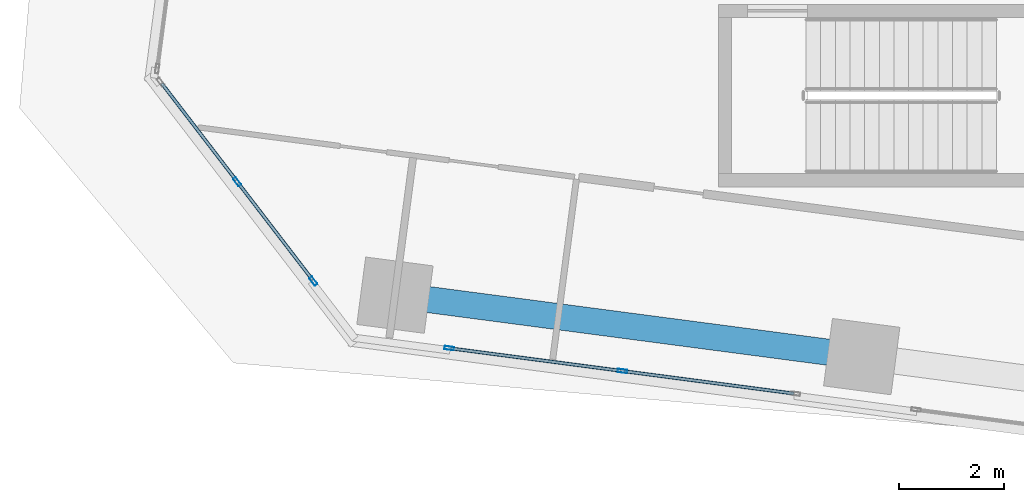
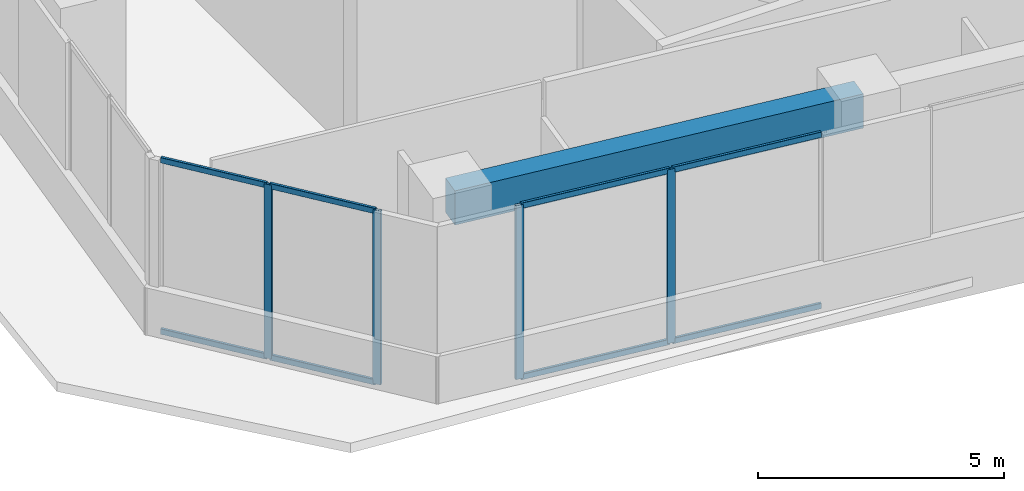
# One storey, part 2 of 24: 12 members, 1 beam, 2 elements without a shape of their own.
"""IFC4 building model written with IfcOpenShell, lengths in metres."""

from ifc_helpers import new_model, si_unit, direction, frame, origin, origin_2d, place, context, subcontext, project, spatial, rectangle, hollow_rectangle, extrude, source, transform, mapped, material, material_profile, profile_set, type_object, element, aggregate, save


model = new_model("IFC4")

# Units and contexts
model_context = context("Model", 3, precision=1e-05, world=origin(), true_north=direction((0.0, 1.0)))
body_context = subcontext(model_context, "Body", "Model", "MODEL_VIEW")
ifc_project = project(units=[si_unit("LENGTHUNIT", "METRE"), si_unit("AREAUNIT", "SQUARE_METRE"), si_unit("VOLUMEUNIT", "CUBIC_METRE"), si_unit("PLANEANGLEUNIT", "RADIAN"), si_unit("MASSUNIT", "GRAM", prefix="KILO")], contexts=[model_context])

# Site, building, storey
site_placement = place(None, origin())
site = spatial("IfcSite", under=ifc_project, at=site_placement, CompositionType="ELEMENT")
building_placement = place(site_placement, origin())
building = spatial("IfcBuilding", under=site, at=building_placement, Name="Torre Montelarca", CompositionType="ELEMENT")
storey_placement = place(building_placement, frame((0.0, 0.0, 61.60009765625)))
storey = spatial("IfcBuildingStorey", under=building, at=storey_placement, Name="L13", CompositionType="ELEMENT", Elevation=61.60009765625)

# Beam
ifc_material_1 = material(Name="Concrete C55/67", Category="concrete")
ifc_material_profile_1 = material_profile(ifc_material_1, rectangle(XDim=0.5, YDim=0.85009765625, at=origin_2d()), Name="RCB500X850", Category="concrete")
ifc_profile_set_1 = profile_set([ifc_material_profile_1], Name="Concrete C55/67")
beam_type = type_object("IfcBeamType", Name="BM-SP-RC850-EXT", PredefinedType="SPANDREL", material=ifc_profile_set_1)
shared_shape_1 = source(origin(), body_context, "Body", "SweptSolid", [
    extrude(rectangle(XDim=0.5, YDim=0.85009765625, at=origin_2d()), origin(), (0.0, 0.0, 1.0), 9.0),
])
beam_placement = place(storey_placement, frame((6.86181640625, 16.57861328125, 4.135009765625), z_axis=(0.991447554135, -0.130505737036, 0.0), x_axis=(0.130505737036, 0.991447554135, 0.0)))
element("IfcBeam", 1, at=beam_placement, inside=storey, type_object=beam_type, Name="L13 Grid Girder X 9.0-18.0 at Y=14.8", PredefinedType="SPANDREL", context=body_context, shape_type="MappedRepresentation", body=[
    mapped(shared_shape_1, transform((0.0, 0.0, 0.0), scale=1.0)),
])

# Curtain wall, members
ifc_material_2 = material(Name="Insulated low-E laminated glass", Category="glass")
curtain_wall_type = type_object("IfcCurtainWallType", Name="CW-SYS-Z1", PredefinedType="USERDEFINED", material=ifc_material_2)
curtain_wall_1_placement = place(storey_placement, origin())
curtain_wall_1 = element("IfcCurtainWall", 2, at=curtain_wall_1_placement, inside=storey, type_object=curtain_wall_type, Name="L13 Curtain Wall Run CW-T3-L13-E01-B1", ObjectType="UNITISED GLAZING", PredefinedType="USERDEFINED")
ifc_material_3 = material(Name="Anodised aluminium AA 6063-T6", Category="aluminium")
ifc_material_profile_2 = material_profile(ifc_material_3, hollow_rectangle(XDim=0.06494140625, YDim=0.139892578125, WallThickness=0.00390625, InnerFilletRadius=0.00390625, OuterFilletRadius=0.008056640625, at=origin_2d()), Name="ALU65X140X4", Category="aluminium")
ifc_profile_set_2 = profile_set([ifc_material_profile_2], Name="Anodised aluminium AA 6063-T6")
member_type_1 = type_object("IfcMemberType", Name="CWT-ALU140", PredefinedType="USERDEFINED", material=ifc_profile_set_2)
shared_shape_2 = source(origin(), body_context, "Body", "SweptSolid", [
    extrude(hollow_rectangle(XDim=0.06494140625, YDim=0.139892578125, WallThickness=0.00390625, InnerFilletRadius=0.00390625, OuterFilletRadius=0.008056640625, at=origin_2d()), origin(), (0.0, 0.0, 1.0), 3.272705078125),
])
member_1_placement = place(storey_placement, frame((7.93310546875, 15.56005859375, 0.032470703125), z_axis=(0.991451248248, -0.130477669916, 0.0), x_axis=(0.130477669916, 0.991451248248, 0.0)))
member_1 = element("IfcMember", 3, at=member_1_placement, type_object=member_type_1, Name="CW transom 1.1", ObjectType="TRANSOM", PredefinedType="USERDEFINED", context=body_context, shape_type="MappedRepresentation", body=[
    mapped(shared_shape_2, transform((0.0, 0.0, 0.0), scale=1.0)),
])
member_2_placement = place(storey_placement, frame((7.93310546875, 15.56005859375, 4.287353515625), z_axis=(0.991451248248, -0.130477669916, 0.0), x_axis=(0.130477669916, 0.991451248248, 0.0)))
member_2 = element("IfcMember", 4, at=member_2_placement, type_object=member_type_1, Name="CW transom 1.2", ObjectType="TRANSOM", PredefinedType="USERDEFINED", context=body_context, shape_type="MappedRepresentation", body=[
    mapped(shared_shape_2, transform((0.0, 0.0, 0.0), scale=1.0)),
])
shared_shape_3 = source(origin(), body_context, "Body", "SweptSolid", [
    extrude(hollow_rectangle(XDim=0.06494140625, YDim=0.139892578125, WallThickness=0.00390625, InnerFilletRadius=0.00390625, OuterFilletRadius=0.008056640625, at=origin_2d()), origin(), (0.0, 0.0, 1.0), 3.2724609375),
])
member_3_placement = place(storey_placement, frame((11.2421875, 15.12451171875, 0.032470703125), z_axis=(0.991440323438, -0.130560656635, 0.0), x_axis=(0.130560656635, 0.991440323438, 0.0)))
member_3 = element("IfcMember", 5, at=member_3_placement, type_object=member_type_1, Name="CW transom 2.1", ObjectType="TRANSOM", PredefinedType="USERDEFINED", context=body_context, shape_type="MappedRepresentation", body=[
    mapped(shared_shape_3, transform((0.0, 0.0, 0.0), scale=1.0)),
])
member_4_placement = place(storey_placement, frame((11.2421875, 15.12451171875, 4.287353515625), z_axis=(0.991440323438, -0.130560656635, 0.0), x_axis=(0.130560656635, 0.991440323438, 0.0)))
member_4 = element("IfcMember", 6, at=member_4_placement, type_object=member_type_1, Name="CW transom 2.2", ObjectType="TRANSOM", PredefinedType="USERDEFINED", context=body_context, shape_type="MappedRepresentation", body=[
    mapped(shared_shape_3, transform((0.0, 0.0, 0.0), scale=1.0)),
])

curtain_wall_2_placement = place(storey_placement, origin())
curtain_wall_2 = element("IfcCurtainWall", 7, at=curtain_wall_2_placement, inside=storey, type_object=curtain_wall_type, Name="L13 Curtain Wall Run CW-T3-L13-E11-B1", ObjectType="UNITISED GLAZING", PredefinedType="USERDEFINED")
shared_shape_4 = source(origin(), body_context, "Body", "SweptSolid", [
    extrude(hollow_rectangle(XDim=0.06494140625, YDim=0.139892578125, WallThickness=0.00390625, InnerFilletRadius=0.00390625, OuterFilletRadius=0.008056640625, at=origin_2d()), origin(), (0.0, 0.0, 1.0), 2.33056640625),
])
member_5_placement = place(storey_placement, frame((2.406982421875, 20.62353515625, 0.032470703125), z_axis=(0.608763586477, -0.793351684803, 0.0), x_axis=(0.793351684803, 0.608763586477, 0.0)))
member_5 = element("IfcMember", 8, at=member_5_placement, type_object=member_type_1, Name="CW transom 1.1", ObjectType="TRANSOM", PredefinedType="USERDEFINED", context=body_context, shape_type="MappedRepresentation", body=[
    mapped(shared_shape_4, transform((0.0, 0.0, 0.0), scale=1.0)),
])
member_6_placement = place(storey_placement, frame((2.406982421875, 20.62353515625, 4.287353515625), z_axis=(0.608763586477, -0.793351684803, 0.0), x_axis=(0.793351684803, 0.608763586477, 0.0)))
member_6 = element("IfcMember", 9, at=member_6_placement, type_object=member_type_1, Name="CW transom 1.2", ObjectType="TRANSOM", PredefinedType="USERDEFINED", context=body_context, shape_type="MappedRepresentation", body=[
    mapped(shared_shape_4, transform((0.0, 0.0, 0.0), scale=1.0)),
])
member_7_placement = place(storey_placement, frame((3.865234375, 18.72314453125, 0.032470703125), z_axis=(0.608763586477, -0.793351684803, 0.0), x_axis=(0.793351684803, 0.608763586477, 0.0)))
member_7 = element("IfcMember", 10, at=member_7_placement, type_object=member_type_1, Name="CW transom 2.1", ObjectType="TRANSOM", PredefinedType="USERDEFINED", context=body_context, shape_type="MappedRepresentation", body=[
    mapped(shared_shape_4, transform((0.0, 0.0, 0.0), scale=1.0)),
])
member_8_placement = place(storey_placement, frame((3.865234375, 18.72314453125, 4.287353515625), z_axis=(0.608763586477, -0.793351684803, 0.0), x_axis=(0.793351684803, 0.608763586477, 0.0)))
member_8 = element("IfcMember", 11, at=member_8_placement, type_object=member_type_1, Name="CW transom 2.2", ObjectType="TRANSOM", PredefinedType="USERDEFINED", context=body_context, shape_type="MappedRepresentation", body=[
    mapped(shared_shape_4, transform((0.0, 0.0, 0.0), scale=1.0)),
])

# Member
ifc_material_profile_3 = material_profile(ifc_material_3, hollow_rectangle(XDim=0.06494140625, YDim=0.179931640625, WallThickness=0.00390625, InnerFilletRadius=0.00390625, OuterFilletRadius=0.008056640625, at=origin_2d()), Name="ALU65X180X4", Category="aluminium")
ifc_profile_set_3 = profile_set([ifc_material_profile_3], Name="Anodised aluminium AA 6063-T6")
member_type_2 = type_object("IfcMemberType", Name="CWM-ALU180", PredefinedType="MULLION", material=ifc_profile_set_3)
shared_shape_5 = source(origin(), body_context, "Body", "SweptSolid", [
    extrude(hollow_rectangle(XDim=0.06494140625, YDim=0.179931640625, WallThickness=0.00390625, InnerFilletRadius=0.00390625, OuterFilletRadius=0.008056640625, at=origin_2d()), origin(), (0.0, 0.0, 1.0), 4.31982421875),
])
member_9_placement = place(storey_placement, frame((7.90087890625, 15.564453125, 0.0), z_axis=(0.0, 0.0, 1.0), x_axis=(0.130520142055, 0.991445657874, 0.0)))
member_9 = element("IfcMember", 12, at=member_9_placement, type_object=member_type_2, Name="CW mullion 1", PredefinedType="MULLION", context=body_context, shape_type="MappedRepresentation", body=[
    mapped(shared_shape_5, transform((0.0, 0.0, 0.0), scale=1.0)),
])

member_10_placement = place(storey_placement, frame((11.2099609375, 15.128662109375, 0.0), z_axis=(0.0, 0.0, 1.0), x_axis=(0.130520142055, 0.991445657874, 0.0)))
member_10 = element("IfcMember", 13, at=member_10_placement, type_object=member_type_2, Name="CW mullion 2", PredefinedType="MULLION", context=body_context, shape_type="MappedRepresentation", body=[
    mapped(shared_shape_5, transform((0.0, 0.0, 0.0), scale=1.0)),
])

aggregate(curtain_wall_1, [member_9, member_10, member_1, member_2, member_3, member_4])

member_11_placement = place(storey_placement, frame((3.845458984375, 18.748779296875, 0.0), z_axis=(0.0, 0.0, 1.0), x_axis=(0.7933461019, 0.608770862147, 0.0)))
member_11 = element("IfcMember", 14, at=member_11_placement, type_object=member_type_2, Name="CW mullion 2", PredefinedType="MULLION", context=body_context, shape_type="MappedRepresentation", body=[
    mapped(shared_shape_5, transform((0.0, 0.0, 0.0), scale=1.0)),
])

member_12_placement = place(storey_placement, frame((5.3037109375, 16.848388671875, 0.0), z_axis=(0.0, 0.0, 1.0), x_axis=(0.7933461019, 0.608770862147, 0.0)))
member_12 = element("IfcMember", 15, at=member_12_placement, type_object=member_type_2, Name="CW mullion 3", PredefinedType="MULLION", context=body_context, shape_type="MappedRepresentation", body=[
    mapped(shared_shape_5, transform((0.0, 0.0, 0.0), scale=1.0)),
])

aggregate(curtain_wall_2, [member_11, member_12, member_5, member_6, member_7, member_8])

save(model, "model.ifc")
